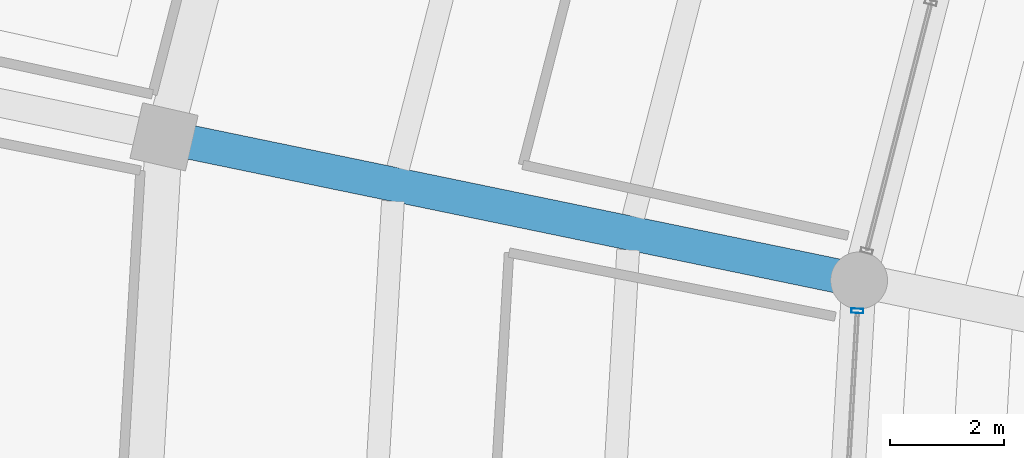
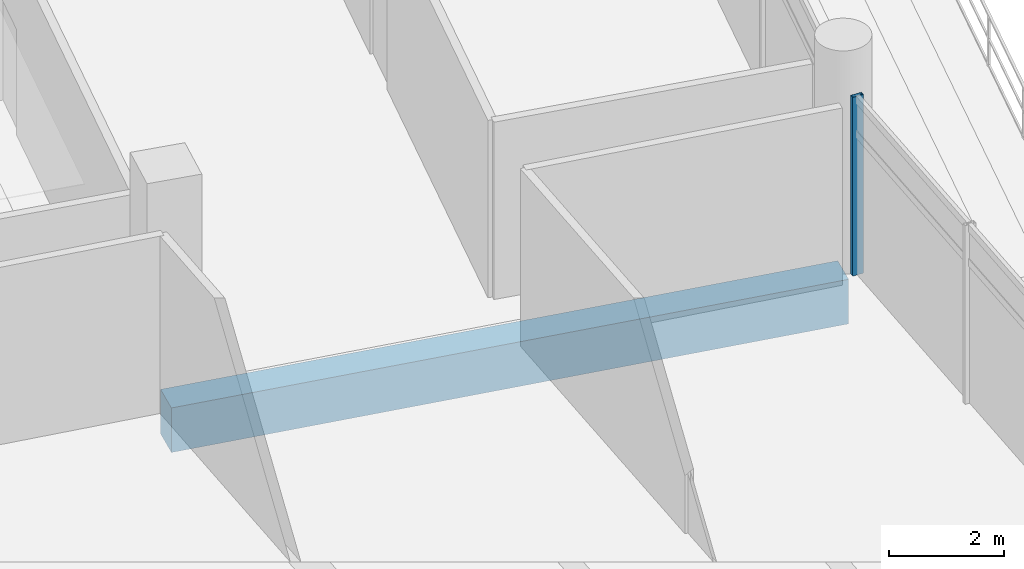
# One storey, part 41 of 171: 1 beam, 1 member, 1 element without a shape of its own.
"""IFC4 building model written with IfcOpenShell, lengths in metres."""

from ifc_helpers import new_model, si_unit, direction, frame, origin, origin_2d, place, context, subcontext, project, spatial, rectangle, hollow_rectangle, extrude, material, layer, layer_set, material_profile, profile_set, type_object, element, aggregate, save


model = new_model("IFC4")

# Units and contexts
model_context = context("Model", 3, precision=1e-05, world=origin(), true_north=direction((0.0, 1.0)))
body_context = subcontext(model_context, "Body", "Model", "MODEL_VIEW")
ifc_project = project(units=[si_unit("LENGTHUNIT", "METRE"), si_unit("AREAUNIT", "SQUARE_METRE"), si_unit("VOLUMEUNIT", "CUBIC_METRE"), si_unit("PLANEANGLEUNIT", "RADIAN"), si_unit("MASSUNIT", "GRAM", prefix="KILO")], contexts=[model_context])

# Site, building, storey
site_placement = place(None, origin())
site = spatial("IfcSite", under=ifc_project, at=site_placement, CompositionType="ELEMENT")
building_placement = place(site_placement, origin())
building = spatial("IfcBuilding", under=site, at=building_placement, Name="Kazemori Nagisa Stadium", CompositionType="ELEMENT")
storey_placement = place(building_placement, frame((0.0, 0.0, 15.639892578125)))
storey = spatial("IfcBuildingStorey", under=building, at=storey_placement, Name="L03", CompositionType="ELEMENT", Elevation=15.639892578125)

# Beam
ifc_material_1 = material(Name="Concrete C40/50 (Fc42)", Category="concrete")
ifc_material_profile_1 = material_profile(ifc_material_1, rectangle(XDim=0.60009765625, YDim=0.949951171875, at=origin_2d()), Name="RC-BM-600x950")
ifc_profile_set_1 = profile_set([ifc_material_profile_1], Name="Concrete C40/50 (Fc42)")
beam_type = type_object("IfcBeamType", Name="Beam_BG-RC600X950", PredefinedType="BEAM", material=ifc_profile_set_1)
beam_placement = place(storey_placement, frame((54.467041015625, 116.160400390625, -0.73486328125), z_axis=(-0.979313861938, 0.202347127025, 0.0), x_axis=(-0.202347127025, -0.979313861938, 0.0)))
element("IfcBeam", 1, at=beam_placement, inside=storey, type_object=beam_type, Name="Radial girder BG-RC600X950 L03 R1-R2-14", PredefinedType="BEAM", context=body_context, shape_type="SweptSolid", body=[
    extrude(rectangle(XDim=0.60009765625, YDim=0.949951171875, at=origin_2d()), origin(), (0.0, 0.0, 1.0), 12.46240234375),
])

# Curtain wall, member
ifc_material_2 = material(Name="Anodised aluminium 6063-T5", Category="aluminium")
ifc_layer = layer(ifc_material_2, 0.2099609375, Name="Anodised aluminium 6063-T5", Category="aluminium")
ifc_layer_set = layer_set([ifc_layer], Name="Anodised aluminium 6063-T5")
curtain_wall_type = type_object("IfcCurtainWallType", Name="CW_L03B_66", PredefinedType="USERDEFINED", material=ifc_layer_set)
curtain_wall_placement = place(storey_placement, origin())
curtain_wall = element("IfcCurtainWall", 2, at=curtain_wall_placement, inside=storey, type_object=curtain_wall_type, Name="Unitised curtain wall CW-L03B-66 L03", ObjectType="UNITISED CURTAIN WALL", PredefinedType="USERDEFINED")
ifc_material_3 = material(Name="Aluminium 6063-T5 anodised", Category="aluminium")
ifc_material_profile_2 = material_profile(ifc_material_3, hollow_rectangle(XDim=0.080078125, YDim=0.2099609375, WallThickness=0.0048828125, at=origin_2d()), Name="ALU-MULL-80x210x5")
ifc_profile_set_2 = profile_set([ifc_material_profile_2], Name="Aluminium 6063-T5 anodised")
member_type = type_object("IfcMemberType", Name="Mullion_M02", PredefinedType="MULLION", material=ifc_profile_set_2)
member_placement = place(storey_placement, frame((54.436279296875, 115.626220703125, 0.0), z_axis=(0.0, 0.0, 1.0), x_axis=(-0.057601670941, -0.998339645364, 0.0)))
member = element("IfcMember", 3, at=member_placement, type_object=member_type, Name="Curtain wall mullion CW-L03B-66-M1", PredefinedType="MULLION", context=body_context, shape_type="SweptSolid", body=[
    extrude(hollow_rectangle(XDim=0.080078125, YDim=0.2099609375, WallThickness=0.0048828125, at=origin_2d()), origin(), (0.0, 0.0, 1.0), 3.81005859375),
])
aggregate(curtain_wall, [member])

save(model, "model.ifc")
